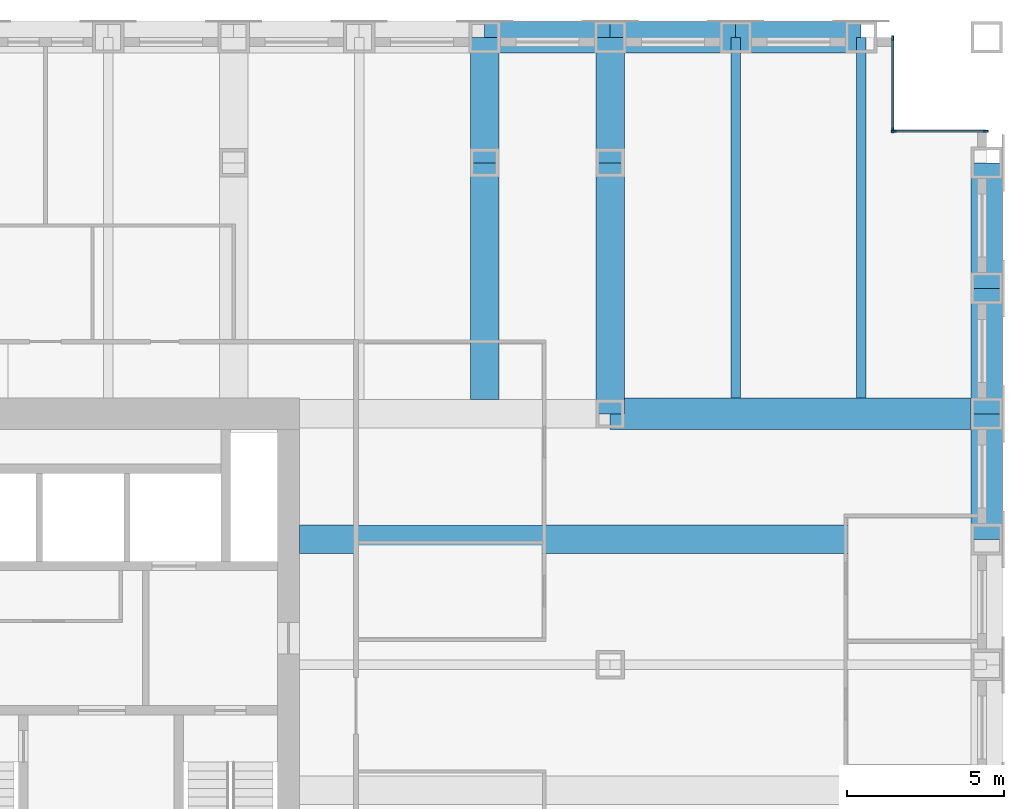
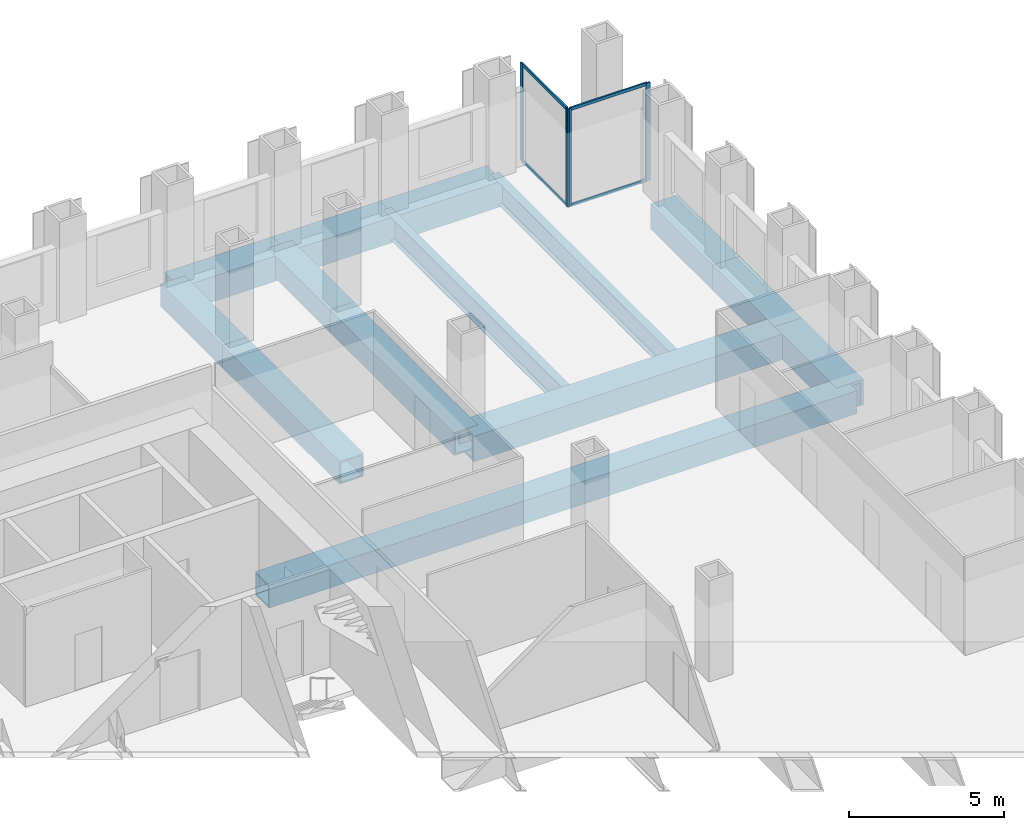
# One storey, part 9 of 16: 14 beams, 8 members, 2 elements without a shape of their own.
"""IFC4 building model written with IfcOpenShell, lengths in metres."""

import ifcopenshell
import ifcopenshell.guid

model = None  # the IFC model being written
_history = None  # IfcOwnerHistory: only IFC2X3 demands one
_inside = {}  # id of a spatial element -> (the spatial element, [elements in it])
_under = {}  # id of a project, library or spatial element -> (it, [spatial elements below it])
_declared = {}  # id of a project -> (the project, [libraries it declares])
_typed = {}  # id of a type object -> (the type object, [elements of that type])
_made_of = {}  # id of a material, layer set ... -> (it, [elements and type objects made of it])


def new_model(schema):
    """Start an empty IFC model of exactly this schema.

    Asked for "IFC4X3", IfcOpenShell would pick the latest addendum, in which some entities
    have other attributes; the version numbers below select the first issue.
    IFC2X3 requires an IfcOwnerHistory on every rooted entity: one is made here for all.
    """
    global model, _history
    if schema == "IFC4X3":
        model = ifcopenshell.file(schema_version=(4, 3, 0, 0))
    else:
        model = ifcopenshell.file(schema=schema)
    _inside.clear()
    _under.clear()
    _declared.clear()
    _typed.clear()
    _made_of.clear()
    _history = None
    if model.schema == "IFC2X3":
        org = make("IfcOrganization", Name="unknown")
        user = make(
            "IfcPersonAndOrganization",
            ThePerson=make("IfcPerson", FamilyName="unknown"),
            TheOrganization=org,
        )
        app = make(
            "IfcApplication",
            ApplicationDeveloper=org,
            Version="unknown",
            ApplicationFullName="unknown",
            ApplicationIdentifier="unknown",
        )
        _history = make(
            "IfcOwnerHistory",
            OwningUser=user,
            OwningApplication=app,
            ChangeAction="ADDED",
            CreationDate=0,
        )
    return model


def make(cls, **values):
    """One entity of the class cls with the attributes given. An attribute that is None is left unset."""
    return model.create_entity(
        cls, **{name: value for name, value in values.items() if value is not None}
    )


def rooted(cls, **values):
    """An entity with a GlobalId (a new one), such as an element, a storey or a relation."""
    return make(cls, GlobalId=ifcopenshell.guid.new(), OwnerHistory=_history, **values)


def si_unit(unit_type, name, prefix=None):
    """IfcSIUnit, for example si_unit("LENGTHUNIT", "METRE", prefix="MILLI")."""
    return make("IfcSIUnit", UnitType=unit_type, Prefix=prefix, Name=name)


def assignment(units):
    """IfcUnitAssignment: the units of a project."""
    return None if units is None else make("IfcUnitAssignment", Units=units)


def point(xyz):
    """IfcCartesianPoint."""
    return None if xyz is None else make("IfcCartesianPoint", Coordinates=xyz)


def direction(xyz):
    """IfcDirection."""
    return None if xyz is None else make("IfcDirection", DirectionRatios=xyz)


def frame(location, z_axis=None, x_axis=None):
    """IfcAxis2Placement3D, a coordinate frame: its origin and axes. An axis left out is left unset."""
    return make(
        "IfcAxis2Placement3D",
        Location=point(location),
        Axis=direction(z_axis),
        RefDirection=direction(x_axis),
    )


def frame_2d(location, x_axis=None):
    """IfcAxis2Placement2D, a coordinate frame in the plane: its origin and x axis."""
    return make(
        "IfcAxis2Placement2D", Location=point(location), RefDirection=direction(x_axis)
    )


def origin():
    """The frame at (0, 0, 0) with its axes left unset."""
    return frame((0.0, 0.0, 0.0))


def origin_2d():
    """The frame at (0, 0) in the plane with its x axis left unset."""
    return frame_2d((0.0, 0.0))


def place(relative_to, where):
    """IfcLocalPlacement: puts the frame where relative to a parent placement (None: the world)."""
    return make(
        "IfcLocalPlacement", PlacementRelTo=relative_to, RelativePlacement=where
    )


def context(
    kind, dimensions, precision=None, world=None, true_north=None, identifier=None
):
    """IfcGeometricRepresentationContext, for example the 3D "Model" context."""
    return make(
        "IfcGeometricRepresentationContext",
        ContextIdentifier=identifier,
        ContextType=kind,
        CoordinateSpaceDimension=dimensions,
        Precision=precision,
        WorldCoordinateSystem=world,
        TrueNorth=true_north,
    )


def subcontext(parent, identifier, kind, view, scale=None):
    """IfcGeometricRepresentationSubContext, for example "Body" below "Model"."""
    return make(
        "IfcGeometricRepresentationSubContext",
        ContextIdentifier=identifier,
        ContextType=kind,
        ParentContext=parent,
        TargetScale=scale,
        TargetView=view,
    )


def project(units=None, contexts=None):
    """IfcProject with its units and contexts."""
    return rooted(
        "IfcProject",
        Name="project",
        RepresentationContexts=contexts,
        UnitsInContext=assignment(units),
    )


def spatial(cls, under=None, at=None, **own):
    """A site, building, storey or space (cls), placed at a placement, below another one or the project."""
    s = rooted(cls, ObjectPlacement=at, **own)
    if under is not None:
        _under.setdefault(under.id(), (under, []))[1].append(s)
    return s


def profile(cls, at=None, kind="AREA", **sizes):
    """A parametric profile (cls). Its sizes go by their IFC names, for example OverallWidth=200.0."""
    return make(cls, ProfileType=kind, Position=at, **sizes)


def rectangle(**sizes):
    """IfcRectangleProfileDef."""
    return profile("IfcRectangleProfileDef", **sizes)


def hollow_rectangle(**sizes):
    """IfcRectangleHollowProfileDef."""
    return profile("IfcRectangleHollowProfileDef", **sizes)


def i_section(**sizes):
    """IfcIShapeProfileDef."""
    return profile("IfcIShapeProfileDef", **sizes)


def extrude(swept, where, along, depth):
    """IfcExtrudedAreaSolid: the profile swept, set in the frame where, extruded along a direction by depth."""
    return make(
        "IfcExtrudedAreaSolid",
        SweptArea=swept,
        Position=where,
        ExtrudedDirection=direction(along),
        Depth=depth,
    )


def shape(context_of_items, identifier, shape_type, items):
    """IfcShapeRepresentation: the items that make up one representation, for example the "Body"."""
    return make(
        "IfcShapeRepresentation",
        ContextOfItems=context_of_items,
        RepresentationIdentifier=identifier,
        RepresentationType=shape_type,
        Items=items,
    )


def material(Name=None, Category=None):
    """IfcMaterial."""
    return make("IfcMaterial", Name=Name, Category=Category)


def material_profile(
    of_material, cross_section, Name=None, Category=None, Priority=None
):
    """IfcMaterialProfile: a cross section and its material."""
    return make(
        "IfcMaterialProfile",
        Name=Name,
        Material=of_material,
        Profile=cross_section,
        Priority=Priority,
        Category=Category,
    )


def profile_set(profiles, Name=None, composite=None):
    """IfcMaterialProfileSet."""
    return make(
        "IfcMaterialProfileSet",
        Name=Name,
        MaterialProfiles=profiles,
        CompositeProfile=composite,
    )


def made_of(thing, what):
    """Note that an element or type object is made of a material, layer set ...; save() writes the relation."""
    if what is not None:
        _made_of.setdefault(what.id(), (what, []))[1].append(thing)
    return thing


def type_object(cls, material=None, **own):
    """A type object (cls), such as IfcWallType, which elements share."""
    return made_of(rooted(cls, **own), material)


def element(
    cls,
    number,
    at=None,
    inside=None,
    cuts=None,
    type_object=None,
    material=None,
    context=None,
    identifier="Body",
    shape_type=None,
    held_by="IfcProductDefinitionShape",
    body=None,
    shapes=None,
    **own,
):
    """One element of the class cls, such as IfcWall. Its Tag is "e" and its number.

    at: its placement. inside: the storey or other place that contains it. cuts: it is an
    opening in that element (IfcRelVoidsElement). A single representation is given by context,
    identifier, shape_type and body (its items); several are given by shapes. held_by: the class
    of the entity that holds the representations. save() writes the other relations.
    """
    e = rooted(cls, Tag="e%d" % number, ObjectPlacement=at, **own)
    if body is not None:
        shapes = [shape(context, identifier, shape_type, body)]
    if shapes is not None:
        e.Representation = make(held_by, Representations=shapes)
    if inside is not None:
        _inside.setdefault(inside.id(), (inside, []))[1].append(e)
    if cuts is not None:
        rooted(
            "IfcRelVoidsElement", RelatingBuildingElement=cuts, RelatedOpeningElement=e
        )
    if type_object is not None:
        _typed.setdefault(type_object.id(), (type_object, []))[1].append(e)
    return made_of(e, material)


def aggregate(whole, parts):
    """IfcRelAggregates: a whole, such as a stair, and the parts it consists of."""
    return rooted("IfcRelAggregates", RelatingObject=whole, RelatedObjects=parts)


def save(model, path):
    """Write the relations noted so far, then the file.

    IfcRelAggregates (storeys below a building ...), IfcRelContainedInSpatialStructure (elements
    in a storey), IfcRelDefinesByType, IfcRelAssociatesMaterial and IfcRelDeclares: one each for
    every whole, place, type object, material and project.
    """
    for whole, parts in _under.values():
        aggregate(whole, parts)
    for where, things in _inside.values():
        rooted(
            "IfcRelContainedInSpatialStructure",
            RelatedElements=things,
            RelatingStructure=where,
        )
    for kind, things in _typed.values():
        rooted("IfcRelDefinesByType", RelatedObjects=things, RelatingType=kind)
    for what, things in _made_of.values():
        rooted("IfcRelAssociatesMaterial", RelatedObjects=things, RelatingMaterial=what)
    for by, libraries in _declared.values():
        rooted("IfcRelDeclares", RelatingContext=by, RelatedDefinitions=libraries)
    model.write(path)


model = new_model("IFC4")

# Units and contexts
model_context = context("Model", 3, precision=1e-05, world=origin(), true_north=direction((0.0, 1.0)))
body_context = subcontext(model_context, "Body", "Model", "MODEL_VIEW")
ifc_project = project(units=[si_unit("LENGTHUNIT", "METRE"), si_unit("AREAUNIT", "SQUARE_METRE"), si_unit("VOLUMEUNIT", "CUBIC_METRE"), si_unit("PLANEANGLEUNIT", "RADIAN"), si_unit("MASSUNIT", "GRAM", prefix="KILO")], contexts=[model_context])

# Site, building, storey
site_placement = place(None, origin())
site = spatial("IfcSite", under=ifc_project, at=site_placement, CompositionType="ELEMENT")
building_placement = place(site_placement, origin())
building = spatial("IfcBuilding", under=site, at=building_placement, Name="Rimbunsela Tower", CompositionType="ELEMENT")
storey_placement = place(building_placement, frame((0.0, 0.0, 89.39990234375)))
storey = spatial("IfcBuildingStorey", under=building, at=storey_placement, Name="L21", CompositionType="ELEMENT", Elevation=89.39990234375)

# Beams
ifc_material_1 = material(Name="Steel BJ 55 (fy 410 MPa)", Category="steel")
ifc_material_profile_1 = material_profile(ifc_material_1, hollow_rectangle(XDim=1.0, YDim=1.0, WallThickness=0.10009765625, at=origin_2d()), Name="BOX 1000x1000x100")
ifc_profile_set_1 = profile_set([ifc_material_profile_1], Name="Steel BJ 55 (fy 410 MPa)")
beam_type_1 = type_object("IfcBeamType", Name="Beam BOX 1000x1000x100", PredefinedType="BEAM", material=ifc_profile_set_1)
beam_1_placement = place(storey_placement, frame((42.0, 48.0, -0.64990234375), z_axis=(1.0, 0.0, 0.0), x_axis=(0.0, 1.0, 0.0)))
element("IfcBeam", 1, at=beam_1_placement, inside=storey, type_object=beam_type_1, Name="Beam B3 L21", PredefinedType="BEAM", context=body_context, shape_type="SweptSolid", body=[
    extrude(hollow_rectangle(XDim=1.0, YDim=1.0, WallThickness=0.10009765625, at=origin_2d()), origin(), (0.0, 0.0, 1.0), 4.0),
])
beam_2_placement = place(storey_placement, frame((46.0, 36.0, -0.64990234375), z_axis=(1.0, 0.0, 0.0), x_axis=(0.0, 1.0, 0.0)))
element("IfcBeam", 2, at=beam_2_placement, inside=storey, type_object=beam_type_1, Name="Beam B3 L21", PredefinedType="BEAM", context=body_context, shape_type="SweptSolid", body=[
    extrude(hollow_rectangle(XDim=1.0, YDim=1.0, WallThickness=0.10009765625, at=origin_2d()), origin(), (0.0, 0.0, 1.0), 12.0),
])
for number, where, z_axis, x_axis, name in (
    (3, (46.0, 48.0, -0.64990234375), (1.0, 0.0, 0.0), (0.0, 1.0, 0.0), "Beam B3 L21"),
    (4, (50.0, 48.0, -0.64990234375), (1.0, 0.0, 0.0), (0.0, 1.0, 0.0), "Beam B3 L21"),
    (5, (58.0, 32.0, -0.64990234375), (0.0, 1.0, 0.0), (-1.0, 0.0, 0.0), "Beam B3 L21"),
    (6, (58.0, 36.0, -0.64990234375), (0.0, 1.0, 0.0), (-1.0, 0.0, 0.0), "Beam B3 L21"),
    (7, (58.0, 40.0, -0.64990234375), (0.0, 1.0, 0.0), (-1.0, 0.0, 0.0), "Beam B3 L21"),
):
    element("IfcBeam", number, at=place(storey_placement, frame(where, z_axis=z_axis, x_axis=x_axis)), inside=storey, type_object=beam_type_1, Name=name, PredefinedType="BEAM", context=body_context, shape_type="SweptSolid", body=[
        extrude(hollow_rectangle(XDim=1.0, YDim=1.0, WallThickness=0.10009765625, at=origin_2d()), origin(), (0.0, 0.0, 1.0), 4.0),
    ])
ifc_material_2 = material(Name="Steel BJ 55 (fy 410 MPa)", Category="steel")
ifc_material_profile_2 = material_profile(ifc_material_2, hollow_rectangle(XDim=0.89990234375, YDim=0.89990234375, WallThickness=0.06005859375, at=origin_2d()), Name="BOX 900x900x60")
ifc_profile_set_2 = profile_set([ifc_material_profile_2], Name="Steel BJ 55 (fy 410 MPa)")
beam_type_2 = type_object("IfcBeamType", Name="Beam BOX 900x900x60", PredefinedType="BEAM", material=ifc_profile_set_2)
beam_3_placement = place(storey_placement, frame((36.10009765625, 32.0, -0.599853515625), z_axis=(1.0, 0.0, 0.0), x_axis=(0.0, 1.0, 0.0)))
element("IfcBeam", 8, at=beam_3_placement, inside=storey, type_object=beam_type_2, Name="Beam B1 L21", PredefinedType="BEAM", context=body_context, shape_type="SweptSolid", body=[
    extrude(hollow_rectangle(XDim=0.89990234375, YDim=0.89990234375, WallThickness=0.06005859375, at=origin_2d()), origin(), (0.0, 0.0, 1.0), 21.89990234375),
])
beam_4_placement = place(storey_placement, frame((42.0, 36.449951171875, -0.599853515625), z_axis=(0.0, 1.0, 0.0), x_axis=(-1.0, 0.0, 0.0)))
element("IfcBeam", 9, at=beam_4_placement, inside=storey, type_object=beam_type_2, Name="Beam B1 L21", PredefinedType="BEAM", context=body_context, shape_type="SweptSolid", body=[
    extrude(hollow_rectangle(XDim=0.89990234375, YDim=0.89990234375, WallThickness=0.06005859375, at=origin_2d()), origin(), (0.0, 0.0, 1.0), 7.550048828125),
])
beam_5_placement = place(storey_placement, frame((42.0, 44.0, -0.599853515625), z_axis=(0.0, 1.0, 0.0), x_axis=(-1.0, 0.0, 0.0)))
element("IfcBeam", 10, at=beam_5_placement, inside=storey, type_object=beam_type_2, Name="Beam B1 L21", PredefinedType="BEAM", context=body_context, shape_type="SweptSolid", body=[
    extrude(hollow_rectangle(XDim=0.89990234375, YDim=0.89990234375, WallThickness=0.06005859375, at=origin_2d()), origin(), (0.0, 0.0, 1.0), 4.0),
])
beam_6_placement = place(storey_placement, frame((46.0, 36.0, -0.599853515625), z_axis=(0.0, 1.0, 0.0), x_axis=(-1.0, 0.0, 0.0)))
element("IfcBeam", 11, at=beam_6_placement, inside=storey, type_object=beam_type_2, Name="Beam B1 L21", PredefinedType="BEAM", context=body_context, shape_type="SweptSolid", body=[
    extrude(hollow_rectangle(XDim=0.89990234375, YDim=0.89990234375, WallThickness=0.06005859375, at=origin_2d()), origin(), (0.0, 0.0, 1.0), 8.0),
])
beam_7_placement = place(storey_placement, frame((46.0, 44.0, -0.599853515625), z_axis=(0.0, 1.0, 0.0), x_axis=(-1.0, 0.0, 0.0)))
element("IfcBeam", 12, at=beam_7_placement, inside=storey, type_object=beam_type_2, Name="Beam B1 L21", PredefinedType="BEAM", context=body_context, shape_type="SweptSolid", body=[
    extrude(hollow_rectangle(XDim=0.89990234375, YDim=0.89990234375, WallThickness=0.06005859375, at=origin_2d()), origin(), (0.0, 0.0, 1.0), 4.0),
])
ifc_material_3 = material(Name="Steel BJ 55 (fy 410 MPa)", Category="steel")
ifc_material_profile_3 = material_profile(ifc_material_3, i_section(OverallWidth=0.300048828125, OverallDepth=0.89990234375, WebThickness=0.01611328125, FlangeThickness=0.028076171875, FilletRadius=0.028076171875, at=origin_2d()), Name="H 900x300x16x28")
ifc_profile_set_3 = profile_set([ifc_material_profile_3], Name="Steel BJ 55 (fy 410 MPa)")
beam_type_3 = type_object("IfcBeamType", Name="Beam H 900x300x16x28", PredefinedType="BEAM", material=ifc_profile_set_3)
for number, where, z_axis, x_axis, name in (
    (13, (50.0, 36.5, -0.599853515625), (0.0, 1.0, 0.0), (-1.0, 0.0, 0.0), "Beam B2 L21"),
    (14, (54.0, 36.5, -0.599853515625), (0.0, 1.0, 0.0), (-1.0, 0.0, 0.0), "Beam B2 L21"),
):
    element("IfcBeam", number, at=place(storey_placement, frame(where, z_axis=z_axis, x_axis=x_axis)), inside=storey, type_object=beam_type_3, Name=name, PredefinedType="BEAM", context=body_context, shape_type="SweptSolid", body=[
        extrude(i_section(OverallWidth=0.300048828125, OverallDepth=0.89990234375, WebThickness=0.01611328125, FlangeThickness=0.028076171875, FilletRadius=0.028076171875, at=origin_2d()), origin(), (0.0, 0.0, 1.0), 11.5),
    ])

# Curtain wall, members
ifc_material_4 = material(Name="Aluminium curtain wall", Category="aluminium")
curtain_wall_type = type_object("IfcCurtainWallType", Name="Corner glazing", PredefinedType="USERDEFINED", material=ifc_material_4)
curtain_wall_1_placement = place(storey_placement, origin())
curtain_wall_1 = element("IfcCurtainWall", 15, at=curtain_wall_1_placement, inside=storey, type_object=curtain_wall_type, Name="Corner glazing L21", ObjectType="CORNER GLAZING", PredefinedType="USERDEFINED")
ifc_material_5 = material(Name="Aluminium mullion", Category="aluminium")
ifc_material_profile_4 = material_profile(ifc_material_5, rectangle(XDim=0.06005859375, YDim=0.159912109375, at=origin_2d()), Name="Mullion 60x160")
ifc_profile_set_4 = profile_set([ifc_material_profile_4], Name="Aluminium mullion")
member_type_1 = type_object("IfcMemberType", Name="Curtain wall mullion 60x160", PredefinedType="MULLION", material=ifc_profile_set_4)
member_1_placement = place(storey_placement, frame((57.969970703125, 45.0, 0.0), z_axis=(0.0, 0.0, 1.0), x_axis=(0.0, -1.0, 0.0)))
member_1 = element("IfcMember", 16, at=member_1_placement, type_object=member_type_1, Name="CW5 mullion 1", PredefinedType="MULLION", context=body_context, shape_type="SweptSolid", body=[
    extrude(rectangle(XDim=0.06005859375, YDim=0.159912109375, at=origin_2d()), origin(), (0.0, 0.0, 1.0), 3.85009765625),
])
member_2_placement = place(storey_placement, frame((55.030029296875, 45.0, 0.0), z_axis=(0.0, 0.0, 1.0), x_axis=(0.0, -1.0, 0.0)))
member_2 = element("IfcMember", 17, at=member_2_placement, type_object=member_type_1, Name="CW5 mullion 2", PredefinedType="MULLION", context=body_context, shape_type="SweptSolid", body=[
    extrude(rectangle(XDim=0.06005859375, YDim=0.159912109375, at=origin_2d()), origin(), (0.0, 0.0, 1.0), 3.85009765625),
])

curtain_wall_2_placement = place(storey_placement, origin())
curtain_wall_2 = element("IfcCurtainWall", 18, at=curtain_wall_2_placement, inside=storey, type_object=curtain_wall_type, Name="Corner glazing L21", ObjectType="CORNER GLAZING", PredefinedType="USERDEFINED")
member_3_placement = place(storey_placement, frame((55.0, 45.030029296875, 0.0), z_axis=(0.0, 0.0, 1.0), x_axis=(-1.0, 0.0, 0.0)))
member_3 = element("IfcMember", 19, at=member_3_placement, type_object=member_type_1, Name="CW5 mullion 1", PredefinedType="MULLION", context=body_context, shape_type="SweptSolid", body=[
    extrude(rectangle(XDim=0.06005859375, YDim=0.159912109375, at=origin_2d()), origin(), (0.0, 0.0, 1.0), 3.85009765625),
])
member_4_placement = place(storey_placement, frame((55.0, 47.969970703125, 0.0), z_axis=(0.0, 0.0, 1.0), x_axis=(-1.0, 0.0, 0.0)))
member_4 = element("IfcMember", 20, at=member_4_placement, type_object=member_type_1, Name="CW5 mullion 2", PredefinedType="MULLION", context=body_context, shape_type="SweptSolid", body=[
    extrude(rectangle(XDim=0.06005859375, YDim=0.159912109375, at=origin_2d()), origin(), (0.0, 0.0, 1.0), 3.85009765625),
])

# Member
ifc_material_6 = material(Name="Aluminium transom", Category="aluminium")
ifc_material_profile_5 = material_profile(ifc_material_6, rectangle(XDim=0.06005859375, YDim=0.1201171875, at=origin_2d()), Name="Transom 60x120")
ifc_profile_set_5 = profile_set([ifc_material_profile_5], Name="Aluminium transom")
member_type_2 = type_object("IfcMemberType", Name="Curtain wall transom 60x120", PredefinedType="USERDEFINED", material=ifc_profile_set_5)
member_5_placement = place(storey_placement, frame((57.93994140625, 45.0, 0.030029296875), z_axis=(-1.0, 0.0, 0.0), x_axis=(0.0, -1.0, 0.0)))
member_5 = element("IfcMember", 21, at=member_5_placement, type_object=member_type_2, Name="CW5 transom 1.1", ObjectType="TRANSOM", PredefinedType="USERDEFINED", context=body_context, shape_type="SweptSolid", body=[
    extrude(rectangle(XDim=0.06005859375, YDim=0.1201171875, at=origin_2d()), origin(), (0.0, 0.0, 1.0), 2.8798828125),
])

member_6_placement = place(storey_placement, frame((57.93994140625, 45.0, 3.820068359375), z_axis=(-1.0, 0.0, 0.0), x_axis=(0.0, -1.0, 0.0)))
member_6 = element("IfcMember", 22, at=member_6_placement, type_object=member_type_2, Name="CW5 transom 1.2", ObjectType="TRANSOM", PredefinedType="USERDEFINED", context=body_context, shape_type="SweptSolid", body=[
    extrude(rectangle(XDim=0.06005859375, YDim=0.1201171875, at=origin_2d()), origin(), (0.0, 0.0, 1.0), 2.8798828125),
])

aggregate(curtain_wall_1, [member_1, member_2, member_5, member_6])

member_7_placement = place(storey_placement, frame((55.0, 45.06005859375, 0.030029296875), z_axis=(0.0, 1.0, 0.0), x_axis=(-1.0, 0.0, 0.0)))
member_7 = element("IfcMember", 23, at=member_7_placement, type_object=member_type_2, Name="CW5 transom 1.1", ObjectType="TRANSOM", PredefinedType="USERDEFINED", context=body_context, shape_type="SweptSolid", body=[
    extrude(rectangle(XDim=0.06005859375, YDim=0.1201171875, at=origin_2d()), origin(), (0.0, 0.0, 1.0), 2.8798828125),
])

member_8_placement = place(storey_placement, frame((55.0, 45.06005859375, 3.820068359375), z_axis=(0.0, 1.0, 0.0), x_axis=(-1.0, 0.0, 0.0)))
member_8 = element("IfcMember", 24, at=member_8_placement, type_object=member_type_2, Name="CW5 transom 1.2", ObjectType="TRANSOM", PredefinedType="USERDEFINED", context=body_context, shape_type="SweptSolid", body=[
    extrude(rectangle(XDim=0.06005859375, YDim=0.1201171875, at=origin_2d()), origin(), (0.0, 0.0, 1.0), 2.8798828125),
])

aggregate(curtain_wall_2, [member_3, member_4, member_7, member_8])

save(model, "model.ifc")
